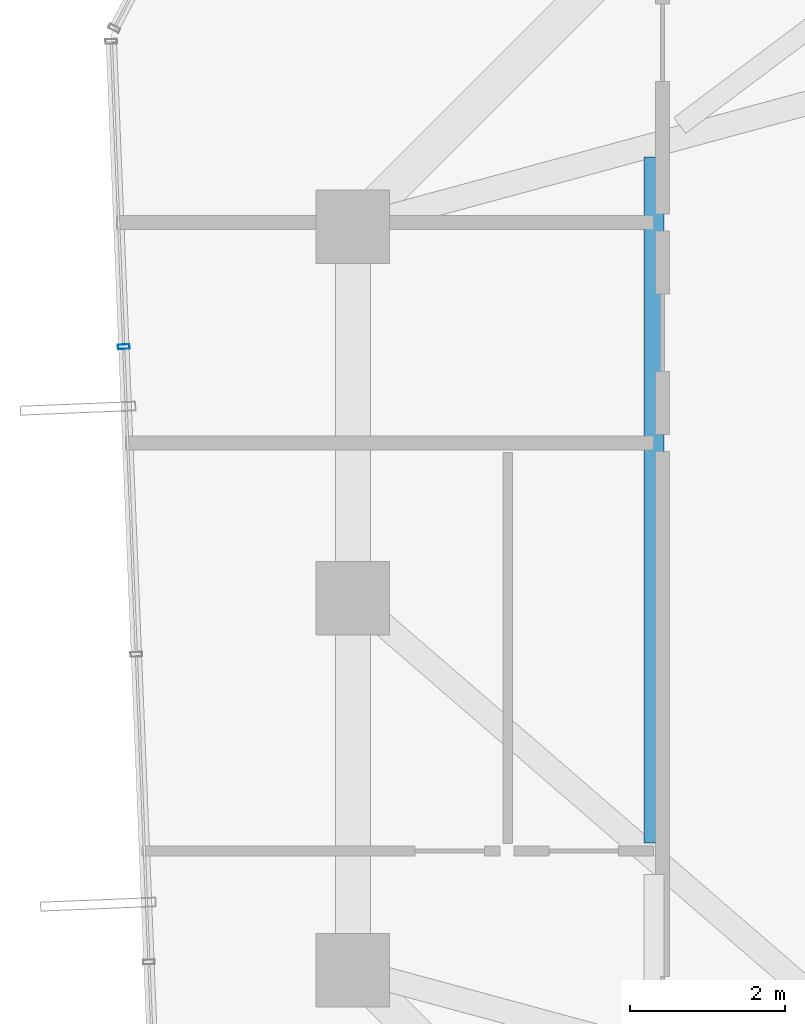
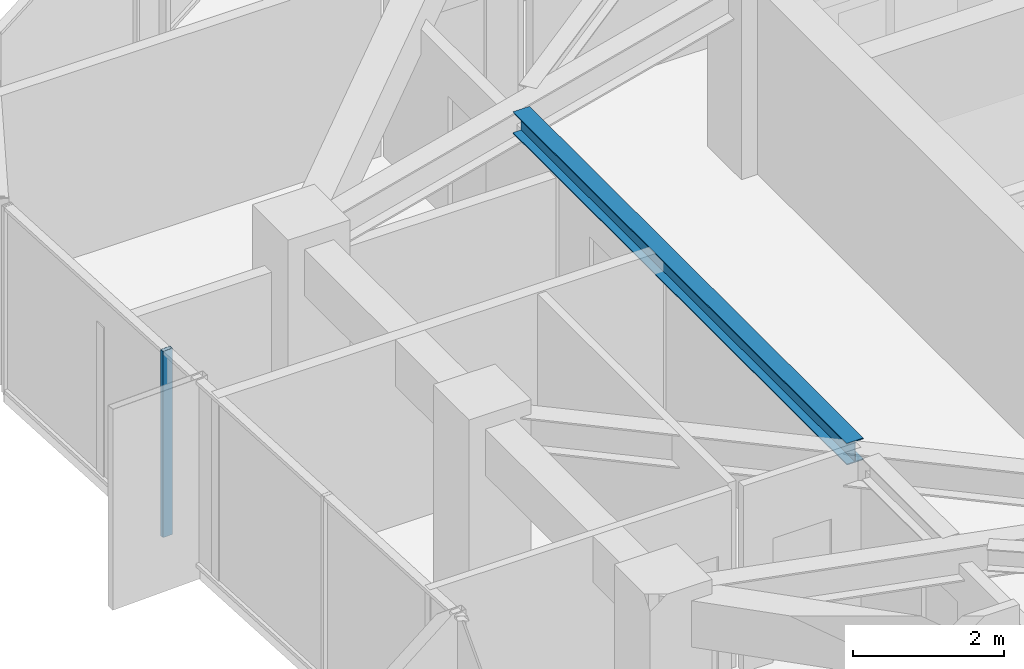
# One storey, part 14 of 33: 1 beam, 1 member, 1 element without a shape of its own.
"""IFC4 building model written with IfcOpenShell, lengths in metres."""

import ifcopenshell
import ifcopenshell.guid

model = None  # the IFC model being written
_history = None  # IfcOwnerHistory: only IFC2X3 demands one
_inside = {}  # id of a spatial element -> (the spatial element, [elements in it])
_under = {}  # id of a project, library or spatial element -> (it, [spatial elements below it])
_declared = {}  # id of a project -> (the project, [libraries it declares])
_typed = {}  # id of a type object -> (the type object, [elements of that type])
_made_of = {}  # id of a material, layer set ... -> (it, [elements and type objects made of it])


def new_model(schema):
    """Start an empty IFC model of exactly this schema.

    Asked for "IFC4X3", IfcOpenShell would pick the latest addendum, in which some entities
    have other attributes; the version numbers below select the first issue.
    IFC2X3 requires an IfcOwnerHistory on every rooted entity: one is made here for all.
    """
    global model, _history
    if schema == "IFC4X3":
        model = ifcopenshell.file(schema_version=(4, 3, 0, 0))
    else:
        model = ifcopenshell.file(schema=schema)
    _inside.clear()
    _under.clear()
    _declared.clear()
    _typed.clear()
    _made_of.clear()
    _history = None
    if model.schema == "IFC2X3":
        org = make("IfcOrganization", Name="unknown")
        user = make(
            "IfcPersonAndOrganization",
            ThePerson=make("IfcPerson", FamilyName="unknown"),
            TheOrganization=org,
        )
        app = make(
            "IfcApplication",
            ApplicationDeveloper=org,
            Version="unknown",
            ApplicationFullName="unknown",
            ApplicationIdentifier="unknown",
        )
        _history = make(
            "IfcOwnerHistory",
            OwningUser=user,
            OwningApplication=app,
            ChangeAction="ADDED",
            CreationDate=0,
        )
    return model


def make(cls, **values):
    """One entity of the class cls with the attributes given. An attribute that is None is left unset."""
    return model.create_entity(
        cls, **{name: value for name, value in values.items() if value is not None}
    )


def rooted(cls, **values):
    """An entity with a GlobalId (a new one), such as an element, a storey or a relation."""
    return make(cls, GlobalId=ifcopenshell.guid.new(), OwnerHistory=_history, **values)


def si_unit(unit_type, name, prefix=None):
    """IfcSIUnit, for example si_unit("LENGTHUNIT", "METRE", prefix="MILLI")."""
    return make("IfcSIUnit", UnitType=unit_type, Prefix=prefix, Name=name)


def assignment(units):
    """IfcUnitAssignment: the units of a project."""
    return None if units is None else make("IfcUnitAssignment", Units=units)


def point(xyz):
    """IfcCartesianPoint."""
    return None if xyz is None else make("IfcCartesianPoint", Coordinates=xyz)


def direction(xyz):
    """IfcDirection."""
    return None if xyz is None else make("IfcDirection", DirectionRatios=xyz)


def frame(location, z_axis=None, x_axis=None):
    """IfcAxis2Placement3D, a coordinate frame: its origin and axes. An axis left out is left unset."""
    return make(
        "IfcAxis2Placement3D",
        Location=point(location),
        Axis=direction(z_axis),
        RefDirection=direction(x_axis),
    )


def frame_2d(location, x_axis=None):
    """IfcAxis2Placement2D, a coordinate frame in the plane: its origin and x axis."""
    return make(
        "IfcAxis2Placement2D", Location=point(location), RefDirection=direction(x_axis)
    )


def origin():
    """The frame at (0, 0, 0) with its axes left unset."""
    return frame((0.0, 0.0, 0.0))


def origin_2d():
    """The frame at (0, 0) in the plane with its x axis left unset."""
    return frame_2d((0.0, 0.0))


def place(relative_to, where):
    """IfcLocalPlacement: puts the frame where relative to a parent placement (None: the world)."""
    return make(
        "IfcLocalPlacement", PlacementRelTo=relative_to, RelativePlacement=where
    )


def context(
    kind, dimensions, precision=None, world=None, true_north=None, identifier=None
):
    """IfcGeometricRepresentationContext, for example the 3D "Model" context."""
    return make(
        "IfcGeometricRepresentationContext",
        ContextIdentifier=identifier,
        ContextType=kind,
        CoordinateSpaceDimension=dimensions,
        Precision=precision,
        WorldCoordinateSystem=world,
        TrueNorth=true_north,
    )


def subcontext(parent, identifier, kind, view, scale=None):
    """IfcGeometricRepresentationSubContext, for example "Body" below "Model"."""
    return make(
        "IfcGeometricRepresentationSubContext",
        ContextIdentifier=identifier,
        ContextType=kind,
        ParentContext=parent,
        TargetScale=scale,
        TargetView=view,
    )


def project(units=None, contexts=None):
    """IfcProject with its units and contexts."""
    return rooted(
        "IfcProject",
        Name="project",
        RepresentationContexts=contexts,
        UnitsInContext=assignment(units),
    )


def spatial(cls, under=None, at=None, **own):
    """A site, building, storey or space (cls), placed at a placement, below another one or the project."""
    s = rooted(cls, ObjectPlacement=at, **own)
    if under is not None:
        _under.setdefault(under.id(), (under, []))[1].append(s)
    return s


def profile(cls, at=None, kind="AREA", **sizes):
    """A parametric profile (cls). Its sizes go by their IFC names, for example OverallWidth=200.0."""
    return make(cls, ProfileType=kind, Position=at, **sizes)


def hollow_rectangle(**sizes):
    """IfcRectangleHollowProfileDef."""
    return profile("IfcRectangleHollowProfileDef", **sizes)


def i_section(**sizes):
    """IfcIShapeProfileDef."""
    return profile("IfcIShapeProfileDef", **sizes)


def extrude(swept, where, along, depth):
    """IfcExtrudedAreaSolid: the profile swept, set in the frame where, extruded along a direction by depth."""
    return make(
        "IfcExtrudedAreaSolid",
        SweptArea=swept,
        Position=where,
        ExtrudedDirection=direction(along),
        Depth=depth,
    )


def shape(context_of_items, identifier, shape_type, items):
    """IfcShapeRepresentation: the items that make up one representation, for example the "Body"."""
    return make(
        "IfcShapeRepresentation",
        ContextOfItems=context_of_items,
        RepresentationIdentifier=identifier,
        RepresentationType=shape_type,
        Items=items,
    )


def source(mapping_origin, context_of_items, identifier, shape_type, items):
    """IfcRepresentationMap: a shape defined once, which mapped items show again and again."""
    return make(
        "IfcRepresentationMap",
        MappingOrigin=mapping_origin,
        MappedRepresentation=shape(context_of_items, identifier, shape_type, items),
    )


def transform(
    local_origin,
    x_axis=None,
    y_axis=None,
    z_axis=None,
    scale=None,
    scale2=None,
    scale3=None,
    uniform=True,
):
    """IfcCartesianTransformationOperator3D, or its non-uniform kind. x_axis, y_axis, z_axis: its Axis1, 2, 3."""
    if uniform:
        return make(
            "IfcCartesianTransformationOperator3D",
            Axis1=direction(x_axis),
            Axis2=direction(y_axis),
            LocalOrigin=point(local_origin),
            Scale=scale,
            Axis3=direction(z_axis),
        )
    return make(
        "IfcCartesianTransformationOperator3DnonUniform",
        Axis1=direction(x_axis),
        Axis2=direction(y_axis),
        LocalOrigin=point(local_origin),
        Scale=scale,
        Axis3=direction(z_axis),
        Scale2=scale2,
        Scale3=scale3,
    )


def mapped(mapping_source, mapping_target):
    """IfcMappedItem: shows the shape of a source again, moved by a transform."""
    return make(
        "IfcMappedItem", MappingSource=mapping_source, MappingTarget=mapping_target
    )


def material(Name=None, Category=None):
    """IfcMaterial."""
    return make("IfcMaterial", Name=Name, Category=Category)


def layer(
    of_material, thickness, ventilated=None, Name=None, Category=None, Priority=None
):
    """IfcMaterialLayer: one layer of a wall or slab, of a material (None: an air gap)."""
    return make(
        "IfcMaterialLayer",
        Material=of_material,
        LayerThickness=thickness,
        IsVentilated=ventilated,
        Name=Name,
        Category=Category,
        Priority=Priority,
    )


def layer_set(layers, Name=None):
    """IfcMaterialLayerSet."""
    return make("IfcMaterialLayerSet", MaterialLayers=layers, LayerSetName=Name)


def material_profile(
    of_material, cross_section, Name=None, Category=None, Priority=None
):
    """IfcMaterialProfile: a cross section and its material."""
    return make(
        "IfcMaterialProfile",
        Name=Name,
        Material=of_material,
        Profile=cross_section,
        Priority=Priority,
        Category=Category,
    )


def profile_set(profiles, Name=None, composite=None):
    """IfcMaterialProfileSet."""
    return make(
        "IfcMaterialProfileSet",
        Name=Name,
        MaterialProfiles=profiles,
        CompositeProfile=composite,
    )


def made_of(thing, what):
    """Note that an element or type object is made of a material, layer set ...; save() writes the relation."""
    if what is not None:
        _made_of.setdefault(what.id(), (what, []))[1].append(thing)
    return thing


def type_object(cls, material=None, **own):
    """A type object (cls), such as IfcWallType, which elements share."""
    return made_of(rooted(cls, **own), material)


def element(
    cls,
    number,
    at=None,
    inside=None,
    cuts=None,
    type_object=None,
    material=None,
    context=None,
    identifier="Body",
    shape_type=None,
    held_by="IfcProductDefinitionShape",
    body=None,
    shapes=None,
    **own,
):
    """One element of the class cls, such as IfcWall. Its Tag is "e" and its number.

    at: its placement. inside: the storey or other place that contains it. cuts: it is an
    opening in that element (IfcRelVoidsElement). A single representation is given by context,
    identifier, shape_type and body (its items); several are given by shapes. held_by: the class
    of the entity that holds the representations. save() writes the other relations.
    """
    e = rooted(cls, Tag="e%d" % number, ObjectPlacement=at, **own)
    if body is not None:
        shapes = [shape(context, identifier, shape_type, body)]
    if shapes is not None:
        e.Representation = make(held_by, Representations=shapes)
    if inside is not None:
        _inside.setdefault(inside.id(), (inside, []))[1].append(e)
    if cuts is not None:
        rooted(
            "IfcRelVoidsElement", RelatingBuildingElement=cuts, RelatedOpeningElement=e
        )
    if type_object is not None:
        _typed.setdefault(type_object.id(), (type_object, []))[1].append(e)
    return made_of(e, material)


def aggregate(whole, parts):
    """IfcRelAggregates: a whole, such as a stair, and the parts it consists of."""
    return rooted("IfcRelAggregates", RelatingObject=whole, RelatedObjects=parts)


def save(model, path):
    """Write the relations noted so far, then the file.

    IfcRelAggregates (storeys below a building ...), IfcRelContainedInSpatialStructure (elements
    in a storey), IfcRelDefinesByType, IfcRelAssociatesMaterial and IfcRelDeclares: one each for
    every whole, place, type object, material and project.
    """
    for whole, parts in _under.values():
        aggregate(whole, parts)
    for where, things in _inside.values():
        rooted(
            "IfcRelContainedInSpatialStructure",
            RelatedElements=things,
            RelatingStructure=where,
        )
    for kind, things in _typed.values():
        rooted("IfcRelDefinesByType", RelatedObjects=things, RelatingType=kind)
    for what, things in _made_of.values():
        rooted("IfcRelAssociatesMaterial", RelatedObjects=things, RelatingMaterial=what)
    for by, libraries in _declared.values():
        rooted("IfcRelDeclares", RelatingContext=by, RelatedDefinitions=libraries)
    model.write(path)


model = new_model("IFC4")

# Units and contexts
model_context = context("Model", 3, precision=1e-05, world=origin(), true_north=direction((0.0, 1.0)))
body_context = subcontext(model_context, "Body", "Model", "MODEL_VIEW")
ifc_project = project(units=[si_unit("LENGTHUNIT", "METRE"), si_unit("AREAUNIT", "SQUARE_METRE"), si_unit("VOLUMEUNIT", "CUBIC_METRE"), si_unit("PLANEANGLEUNIT", "RADIAN"), si_unit("MASSUNIT", "GRAM", prefix="KILO")], contexts=[model_context])

# Site, building, storey
site_placement = place(None, origin())
site = spatial("IfcSite", under=ifc_project, at=site_placement, CompositionType="ELEMENT")
building_placement = place(site_placement, origin())
building = spatial("IfcBuilding", under=site, at=building_placement, Name="Veraguas Prism Commons", CompositionType="ELEMENT")
storey_placement = place(building_placement, frame((0.0, 0.0, 198.35009765625)))
storey = spatial("IfcBuildingStorey", under=building, at=storey_placement, Name="L56", CompositionType="ELEMENT", Elevation=198.35009765625)

# Beam
ifc_material_1 = material(Name="Steel ASTM A992 Grade 50", Category="steel")
ifc_material_profile_1 = material_profile(ifc_material_1, i_section(OverallWidth=0.25390625, OverallDepth=0.35302734375, WebThickness=0.009521484375, FlangeThickness=0.016357421875, at=origin_2d()), Name="W360X91")
ifc_profile_set_1 = profile_set([ifc_material_profile_1], Name="Steel ASTM A992 Grade 50")
beam_type = type_object("IfcBeamType", Name="Upper Floor Joist W360x91", PredefinedType="JOIST", material=ifc_profile_set_1)
beam_placement = place(storey_placement, frame((12.988037109375, 29.697021484375, 2.83837890625), z_axis=(0.0, -1.0, 0.0), x_axis=(1.0, 0.0, 0.0)))
element("IfcBeam", 1, at=beam_placement, inside=storey, type_object=beam_type, Name="Composite Floor Joist L56-JS07", PredefinedType="JOIST", context=body_context, shape_type="SweptSolid", body=[
    extrude(i_section(OverallWidth=0.25390625, OverallDepth=0.35302734375, WebThickness=0.009521484375, FlangeThickness=0.016357421875, at=origin_2d()), origin(), (0.0, 0.0, 1.0), 8.85400390625),
])

# Curtain wall, member
ifc_material_2 = material(Name="Anodised aluminium EN AW-6063 T6", Category="aluminium")
ifc_layer = layer(ifc_material_2, 0.14990234375, Name="Unitised Flush Curtain Wall Zone 3", Category="aluminium")
ifc_layer_set = layer_set([ifc_layer], Name="Anodised aluminium EN AW-6063 T6")
curtain_wall_type = type_object("IfcCurtainWallType", Name="Unitised Flush Curtain Wall Zone 3", PredefinedType="NOTDEFINED", material=ifc_layer_set)
curtain_wall_placement = place(storey_placement, origin())
curtain_wall = element("IfcCurtainWall", 2, at=curtain_wall_placement, inside=storey, type_object=curtain_wall_type, Name="Tower Facade Curtain Wall L56-F3", PredefinedType="NOTDEFINED")
ifc_material_profile_2 = material_profile(ifc_material_2, hollow_rectangle(XDim=0.06005859375, YDim=0.14990234375, WallThickness=0.0029296875, at=origin_2d()), Name="AL60X150X3")
ifc_profile_set_2 = profile_set([ifc_material_profile_2], Name="Anodised aluminium EN AW-6063 T6")
member_type = type_object("IfcMemberType", Name="Curtain Wall Mullion Upper AL 60x150x3", PredefinedType="MULLION", material=ifc_profile_set_2)
shared_shape = source(origin(), body_context, "Body", "SweptSolid", [
    extrude(hollow_rectangle(XDim=0.06005859375, YDim=0.14990234375, WallThickness=0.0029296875, at=origin_2d()), origin(), (0.0, 0.0, 1.0), 3.014892578125),
])
member_placement = place(storey_placement, frame((6.142333984375, 27.249267578125, 0.0), z_axis=(0.0, 0.0, 1.0), x_axis=(0.040829351979, -0.999166134343, 0.0)))
member = element("IfcMember", 3, at=member_placement, type_object=member_type, Name="CW-Z3 Mullion 2", PredefinedType="MULLION", context=body_context, shape_type="MappedRepresentation", body=[
    mapped(shared_shape, transform((0.0, 0.0, 0.0), scale=1.0)),
])
aggregate(curtain_wall, [member])

save(model, "model.ifc")
